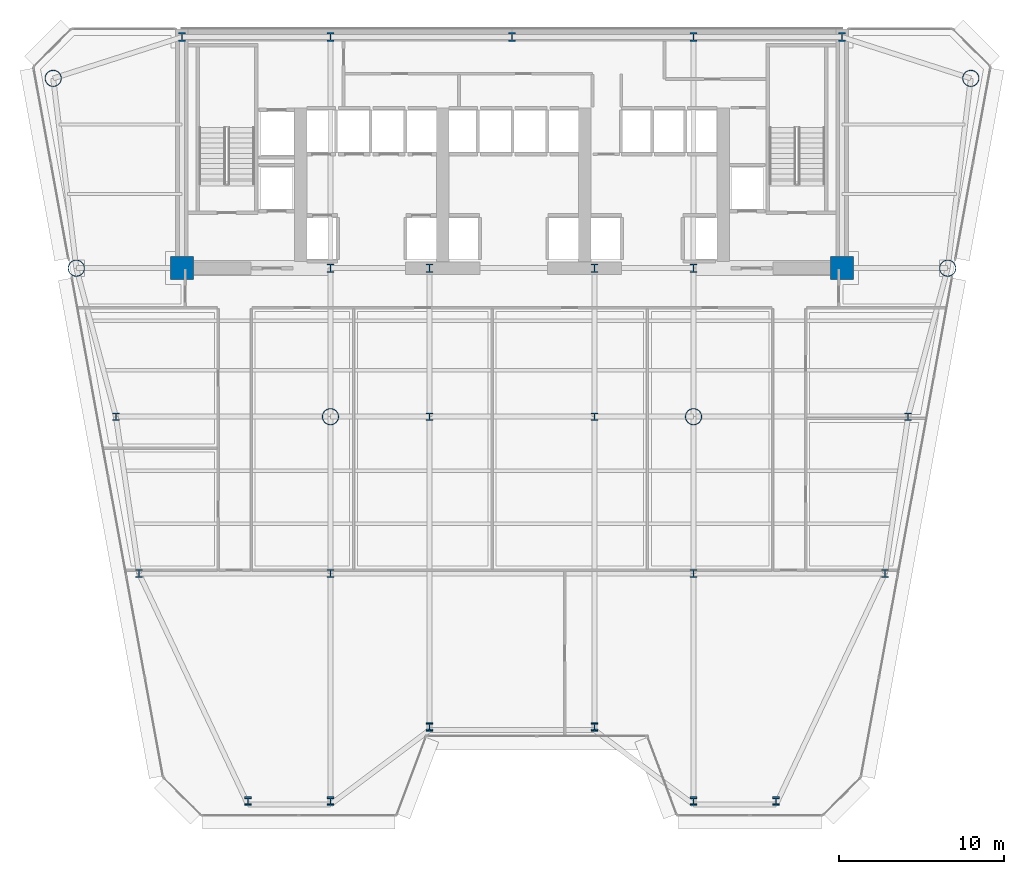
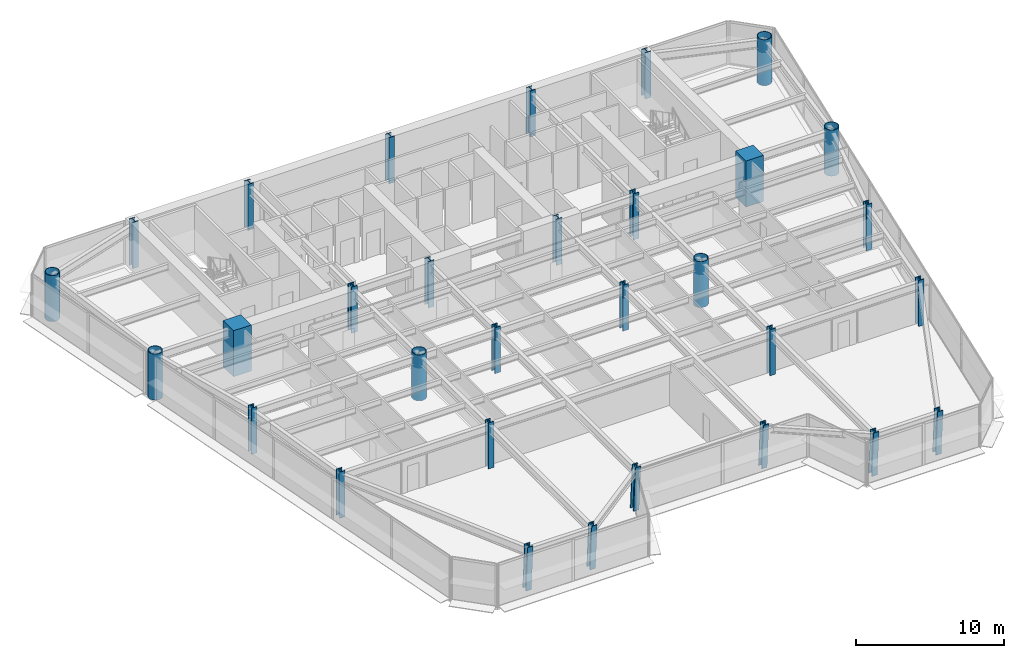
# One storey, part 1 of 14: 31 columns.
"""IFC4 building model written with IfcOpenShell, lengths in metres."""

from ifc_helpers import new_model, si_unit, direction, frame, origin, origin_2d, place, context, subcontext, project, spatial, rectangle, hollow_circle, i_section, extrude, source, transform, mapped, material, material_profile, profile_set, type_object, element, save


model = new_model("IFC4")

# Units and contexts
model_context = context("Model", 3, precision=1e-05, world=origin(), true_north=direction((0.0, 1.0)))
body_context = subcontext(model_context, "Body", "Model", "MODEL_VIEW")
ifc_project = project(units=[si_unit("LENGTHUNIT", "METRE"), si_unit("AREAUNIT", "SQUARE_METRE"), si_unit("VOLUMEUNIT", "CUBIC_METRE"), si_unit("PLANEANGLEUNIT", "RADIAN"), si_unit("MASSUNIT", "GRAM", prefix="KILO")], contexts=[model_context])

# Site, building, storey
site_placement = place(None, origin())
site = spatial("IfcSite", under=ifc_project, at=site_placement, CompositionType="ELEMENT")
building_placement = place(site_placement, origin())
building = spatial("IfcBuilding", under=site, at=building_placement, Name="Vaeldorn Concourse Tower", CompositionType="ELEMENT")
storey_placement = place(building_placement, frame((0.0, 0.0, 92.0)))
storey = spatial("IfcBuildingStorey", under=building, at=storey_placement, Name="L23", CompositionType="ELEMENT", Elevation=92.0)

# Columns
ifc_material_1 = material(Name="Concrete C60/75", Category="concrete")
ifc_material_profile_1 = material_profile(ifc_material_1, rectangle(XDim=1.39990234375, YDim=1.39990234375, at=origin_2d()), Name="RC 1400x1400")
ifc_profile_set_1 = profile_set([ifc_material_profile_1], Name="Concrete C60/75")
column_type_1 = type_object("IfcColumnType", Name="COL-RC1400", PredefinedType="COLUMN", material=ifc_profile_set_1)
shared_shape_1 = source(origin(), body_context, "Body", "SweptSolid", [
    extrude(rectangle(XDim=1.39990234375, YDim=1.39990234375, at=origin_2d()), origin(), (0.0, 0.0, 1.0), 3.800048828125),
])
for number, where, z_axis, x_axis, name in (
    (1, (14.0, 36.5, 0.0), (0.0, 0.0, 1.0), (1.0, 0.0, 0.0), "Column C-FC1 L23"),
    (2, (54.0, 36.5, 0.0), (0.0, 0.0, 1.0), (1.0, 0.0, 0.0), "Column C-FC6 L23"),
):
    element("IfcColumn", number, at=place(storey_placement, frame(where, z_axis=z_axis, x_axis=x_axis)), inside=storey, type_object=column_type_1, Name=name, PredefinedType="COLUMN", context=body_context, shape_type="MappedRepresentation", body=[
        mapped(shared_shape_1, transform((0.0, 0.0, 0.0), scale=1.0)),
    ])
ifc_material_2 = material(Name="Steel S460", Category="steel")
ifc_material_profile_2 = material_profile(ifc_material_2, i_section(OverallWidth=0.44189453125, OverallDepth=0.531005859375, WebThickness=0.06494140625, FlangeThickness=0.075927734375, FilletRadius=0.014892578125, at=origin_2d()), Name="HD 400x900")
ifc_profile_set_2 = profile_set([ifc_material_profile_2], Name="Steel S460")
column_type_2 = type_object("IfcColumnType", Name="COL-HD900", PredefinedType="COLUMN", material=ifc_profile_set_2)
shared_shape_2 = source(origin(), body_context, "Body", "SweptSolid", [
    extrude(i_section(OverallWidth=0.44189453125, OverallDepth=0.531005859375, WebThickness=0.06494140625, FlangeThickness=0.075927734375, FilletRadius=0.014892578125, at=origin_2d()), origin(), (0.0, 0.0, 1.0), 3.800048828125),
])
for number, where, z_axis, x_axis, name in (
    (3, (23.0, 36.5, 0.0), (0.0, 0.0, 1.0), (1.0, 0.0, 0.0), "Column C-FC2 L23"),
    (4, (29.0, 36.5, 0.0), (0.0, 0.0, 1.0), (1.0, 0.0, 0.0), "Column C-FC3 L23"),
    (5, (39.0, 36.5, 0.0), (0.0, 0.0, 1.0), (1.0, 0.0, 0.0), "Column C-FC4 L23"),
    (6, (45.0, 36.5, 0.0), (0.0, 0.0, 1.0), (1.0, 0.0, 0.0), "Column C-FC5 L23"),
    (7, (14.0, 50.5, 0.0), (0.0, 0.0, 1.0), (1.0, 0.0, 0.0), "Column C-HC1 L23"),
    (8, (23.0, 50.5, 0.0), (0.0, 0.0, 1.0), (1.0, 0.0, 0.0), "Column C-HC2 L23"),
    (9, (34.0, 50.5, 0.0), (0.0, 0.0, 1.0), (1.0, 0.0, 0.0), "Column C-HC3 L23"),
    (10, (45.0, 50.5, 0.0), (0.0, 0.0, 1.0), (1.0, 0.0, 0.0), "Column C-HC4 L23"),
    (11, (54.0, 50.5, 0.0), (0.0, 0.0, 1.0), (1.0, 0.0, 0.0), "Column C-HC5 L23"),
):
    element("IfcColumn", number, at=place(storey_placement, frame(where, z_axis=z_axis, x_axis=x_axis)), inside=storey, type_object=column_type_2, Name=name, PredefinedType="COLUMN", context=body_context, shape_type="MappedRepresentation", body=[
        mapped(shared_shape_2, transform((0.0, 0.0, 0.0), scale=1.0)),
    ])
ifc_material_profile_3 = material_profile(ifc_material_2, hollow_circle(Radius=0.508056640625, WallThickness=0.044921875, at=origin_2d()), Name="CHS 1016x45")
ifc_profile_set_3 = profile_set([ifc_material_profile_3], Name="Steel S460")
column_type_3 = type_object("IfcColumnType", Name="COL-CHS1016", PredefinedType="COLUMN", material=ifc_profile_set_3)
shared_shape_3 = source(origin(), body_context, "Body", "SweptSolid", [
    extrude(hollow_circle(Radius=0.508056640625, WallThickness=0.044921875, at=origin_2d()), origin(), (0.0, 0.0, 1.0), 3.800048828125),
])
for number, where, z_axis, x_axis, name in (
    (12, (6.199951171875, 48.0, 0.0), (0.0, 0.0, 1.0), (1.0, 0.0, 0.0), "Column C-NW1 L23"),
    (13, (7.60009765625, 36.5, 0.0), (0.0, 0.0, 1.0), (1.0, 0.0, 0.0), "Column C-NW2 L23"),
    (14, (61.800048828125, 48.0, 0.0), (0.0, 0.0, 1.0), (1.0, 0.0, 0.0), "Column C-NE1 L23"),
    (15, (60.39990234375, 36.5, 0.0), (0.0, 0.0, 1.0), (1.0, 0.0, 0.0), "Column C-NE2 L23"),
    (16, (23.0, 27.5, 0.0), (0.0, 0.0, 1.0), (1.0, 0.0, 0.0), "Column C-TW1 L23"),
    (17, (45.0, 27.5, 0.0), (0.0, 0.0, 1.0), (1.0, 0.0, 0.0), "Column C-TW4 L23"),
):
    element("IfcColumn", number, at=place(storey_placement, frame(where, z_axis=z_axis, x_axis=x_axis)), inside=storey, type_object=column_type_3, Name=name, PredefinedType="COLUMN", context=body_context, shape_type="MappedRepresentation", body=[
        mapped(shared_shape_3, transform((0.0, 0.0, 0.0), scale=1.0)),
    ])
ifc_material_profile_4 = material_profile(ifc_material_2, i_section(OverallWidth=0.424072265625, OverallDepth=0.47412109375, WebThickness=0.047119140625, FlangeThickness=0.06494140625, FilletRadius=0.014892578125, at=origin_2d()), Name="HD 400x634")
ifc_profile_set_4 = profile_set([ifc_material_profile_4], Name="Steel S460")
column_type_4 = type_object("IfcColumnType", Name="COL-HD634F", PredefinedType="COLUMN", material=ifc_profile_set_4)
shared_shape_4 = source(origin(), body_context, "Body", "SweptSolid", [
    extrude(i_section(OverallWidth=0.424072265625, OverallDepth=0.47412109375, WebThickness=0.047119140625, FlangeThickness=0.06494140625, FilletRadius=0.014892578125, at=origin_2d()), origin(), (0.0, 0.0, 1.0), 3.800048828125),
])
for number, where, z_axis, x_axis, name in (
    (18, (10.0, 27.5, 0.0), (0.0, 0.0, 1.0), (1.0, 0.0, 0.0), "Column C-FLW1 L23"),
    (19, (11.39990234375, 18.0, 0.0), (0.0, 0.0, 1.0), (1.0, 0.0, 0.0), "Column C-FLW2 L23"),
    (20, (58.0, 27.5, 0.0), (0.0, 0.0, 1.0), (1.0, 0.0, 0.0), "Column C-FLE1 L23"),
    (21, (56.60009765625, 18.0, 0.0), (0.0, 0.0, 1.0), (1.0, 0.0, 0.0), "Column C-FLE2 L23"),
):
    element("IfcColumn", number, at=place(storey_placement, frame(where, z_axis=z_axis, x_axis=x_axis)), inside=storey, type_object=column_type_4, Name=name, PredefinedType="COLUMN", context=body_context, shape_type="MappedRepresentation", body=[
        mapped(shared_shape_4, transform((0.0, 0.0, 0.0), scale=1.0)),
    ])
ifc_material_profile_5 = material_profile(ifc_material_2, i_section(OverallWidth=0.424072265625, OverallDepth=0.47412109375, WebThickness=0.047119140625, FlangeThickness=0.06494140625, FilletRadius=0.014892578125, at=origin_2d()), Name="HD 400x634")
ifc_profile_set_5 = profile_set([ifc_material_profile_5], Name="Steel S460")
column_type_5 = type_object("IfcColumnType", Name="COL-HD634T", PredefinedType="COLUMN", material=ifc_profile_set_5)
shared_shape_5 = source(origin(), body_context, "Body", "SweptSolid", [
    extrude(i_section(OverallWidth=0.424072265625, OverallDepth=0.47412109375, WebThickness=0.047119140625, FlangeThickness=0.06494140625, FilletRadius=0.014892578125, at=origin_2d()), origin(), (0.0, 0.0, 1.0), 3.800048828125),
])
for number, where, z_axis, x_axis, name in (
    (22, (29.0, 27.5, 0.0), (0.0, 0.0, 1.0), (1.0, 0.0, 0.0), "Column C-TW2 L23"),
    (23, (39.0, 27.5, 0.0), (0.0, 0.0, 1.0), (1.0, 0.0, 0.0), "Column C-TW3 L23"),
    (24, (23.0, 18.0, 0.0), (0.0, 0.0, 1.0), (1.0, 0.0, 0.0), "Column C-TW5 L23"),
    (25, (45.0, 18.0, 0.0), (0.0, 0.0, 1.0), (1.0, 0.0, 0.0), "Column C-TW6 L23"),
):
    element("IfcColumn", number, at=place(storey_placement, frame(where, z_axis=z_axis, x_axis=x_axis)), inside=storey, type_object=column_type_5, Name=name, PredefinedType="COLUMN", context=body_context, shape_type="MappedRepresentation", body=[
        mapped(shared_shape_5, transform((0.0, 0.0, 0.0), scale=1.0)),
    ])
shared_shape_6 = source(origin(), body_context, "Body", "SweptSolid", [
    extrude(i_section(OverallWidth=0.424072265625, OverallDepth=0.47412109375, WebThickness=0.047119140625, FlangeThickness=0.06494140625, FilletRadius=0.014892578125, at=origin_2d()), origin(), (0.0, 0.0, 1.0), 3.74365234375),
])
for number, where, z_axis, x_axis, name in (
    (26, (18.0, 4.2470703125, 0.031982421875), (0.0, -0.063843869911, 0.997959899132), (1.0, 0.0, 0.0), "Column C-SF1 L23"),
    (27, (23.0, 4.2470703125, 0.031982421875), (0.0, -0.063843869911, 0.997959899132), (1.0, 0.0, 0.0), "Column C-SF2 L23"),
    (28, (29.0, 8.7470703125, 0.031982421875), (0.0, -0.063843869911, 0.997959899132), (1.0, 0.0, 0.0), "Column C-SF3 L23"),
    (29, (39.0, 8.7470703125, 0.031982421875), (0.0, -0.063843869911, 0.997959899132), (1.0, 0.0, 0.0), "Column C-SF4 L23"),
    (30, (45.0, 4.2470703125, 0.031982421875), (0.0, -0.063843869911, 0.997959899132), (1.0, 0.0, 0.0), "Column C-SF5 L23"),
    (31, (50.0, 4.2470703125, 0.031982421875), (0.0, -0.063843869911, 0.997959899132), (1.0, 0.0, 0.0), "Column C-SF6 L23"),
):
    element("IfcColumn", number, at=place(storey_placement, frame(where, z_axis=z_axis, x_axis=x_axis)), inside=storey, type_object=column_type_5, Name=name, PredefinedType="COLUMN", context=body_context, shape_type="MappedRepresentation", body=[
        mapped(shared_shape_6, transform((0.0, 0.0, 0.0), scale=1.0)),
    ])

save(model, "model.ifc")
